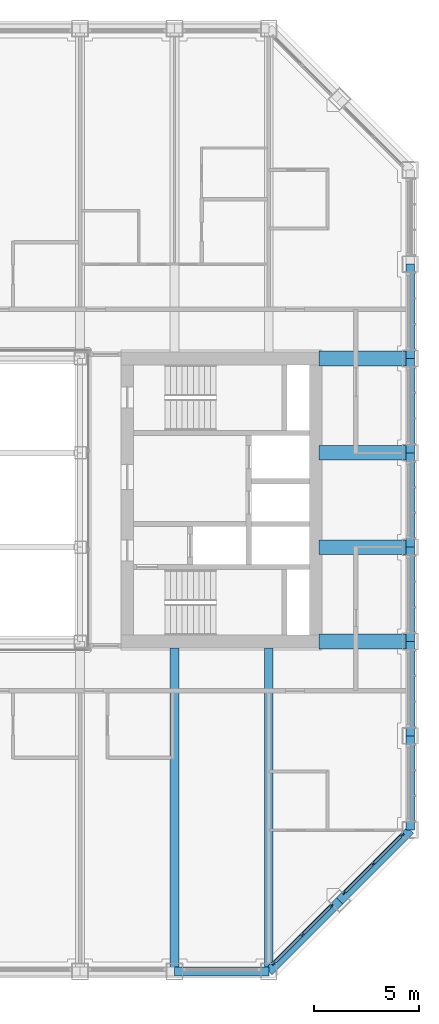
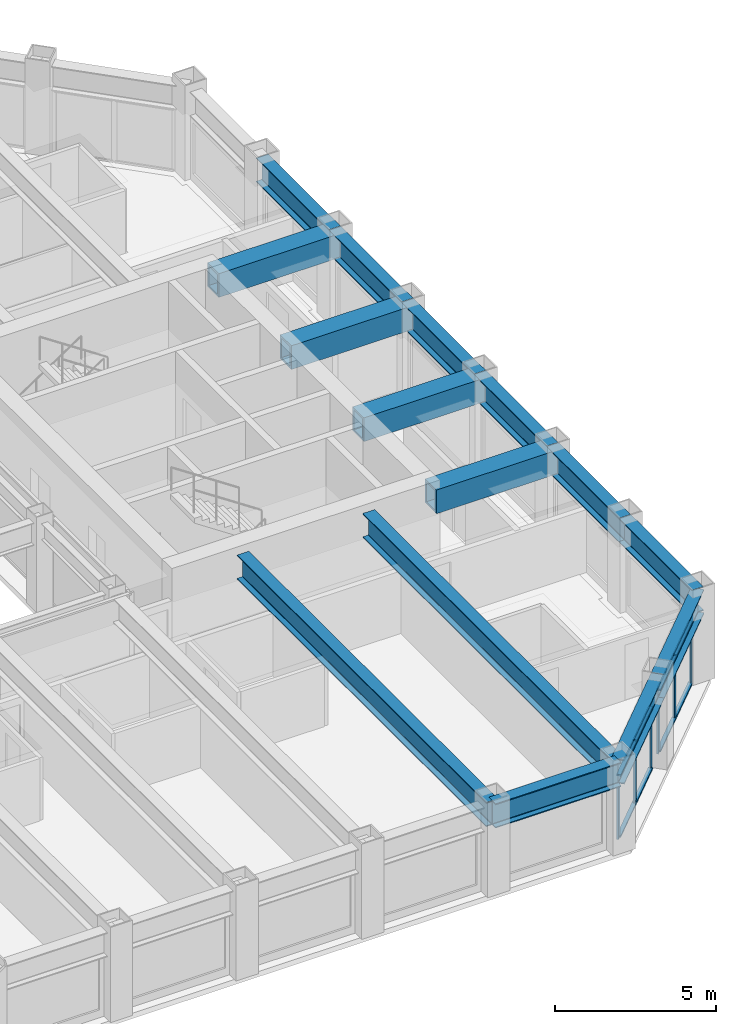
# One storey, part 6 of 18: 15 beams, 14 members, 2 elements without a shape of their own.
"""IFC4 building model written with IfcOpenShell, lengths in metres."""

import ifcopenshell
import ifcopenshell.guid

model = None  # the IFC model being written
_history = None  # IfcOwnerHistory: only IFC2X3 demands one
_inside = {}  # id of a spatial element -> (the spatial element, [elements in it])
_under = {}  # id of a project, library or spatial element -> (it, [spatial elements below it])
_declared = {}  # id of a project -> (the project, [libraries it declares])
_typed = {}  # id of a type object -> (the type object, [elements of that type])
_made_of = {}  # id of a material, layer set ... -> (it, [elements and type objects made of it])


def new_model(schema):
    """Start an empty IFC model of exactly this schema.

    Asked for "IFC4X3", IfcOpenShell would pick the latest addendum, in which some entities
    have other attributes; the version numbers below select the first issue.
    IFC2X3 requires an IfcOwnerHistory on every rooted entity: one is made here for all.
    """
    global model, _history
    if schema == "IFC4X3":
        model = ifcopenshell.file(schema_version=(4, 3, 0, 0))
    else:
        model = ifcopenshell.file(schema=schema)
    _inside.clear()
    _under.clear()
    _declared.clear()
    _typed.clear()
    _made_of.clear()
    _history = None
    if model.schema == "IFC2X3":
        org = make("IfcOrganization", Name="unknown")
        user = make(
            "IfcPersonAndOrganization",
            ThePerson=make("IfcPerson", FamilyName="unknown"),
            TheOrganization=org,
        )
        app = make(
            "IfcApplication",
            ApplicationDeveloper=org,
            Version="unknown",
            ApplicationFullName="unknown",
            ApplicationIdentifier="unknown",
        )
        _history = make(
            "IfcOwnerHistory",
            OwningUser=user,
            OwningApplication=app,
            ChangeAction="ADDED",
            CreationDate=0,
        )
    return model


def make(cls, **values):
    """One entity of the class cls with the attributes given. An attribute that is None is left unset."""
    return model.create_entity(
        cls, **{name: value for name, value in values.items() if value is not None}
    )


def rooted(cls, **values):
    """An entity with a GlobalId (a new one), such as an element, a storey or a relation."""
    return make(cls, GlobalId=ifcopenshell.guid.new(), OwnerHistory=_history, **values)


def si_unit(unit_type, name, prefix=None):
    """IfcSIUnit, for example si_unit("LENGTHUNIT", "METRE", prefix="MILLI")."""
    return make("IfcSIUnit", UnitType=unit_type, Prefix=prefix, Name=name)


def assignment(units):
    """IfcUnitAssignment: the units of a project."""
    return None if units is None else make("IfcUnitAssignment", Units=units)


def point(xyz):
    """IfcCartesianPoint."""
    return None if xyz is None else make("IfcCartesianPoint", Coordinates=xyz)


def direction(xyz):
    """IfcDirection."""
    return None if xyz is None else make("IfcDirection", DirectionRatios=xyz)


def frame(location, z_axis=None, x_axis=None):
    """IfcAxis2Placement3D, a coordinate frame: its origin and axes. An axis left out is left unset."""
    return make(
        "IfcAxis2Placement3D",
        Location=point(location),
        Axis=direction(z_axis),
        RefDirection=direction(x_axis),
    )


def frame_2d(location, x_axis=None):
    """IfcAxis2Placement2D, a coordinate frame in the plane: its origin and x axis."""
    return make(
        "IfcAxis2Placement2D", Location=point(location), RefDirection=direction(x_axis)
    )


def origin():
    """The frame at (0, 0, 0) with its axes left unset."""
    return frame((0.0, 0.0, 0.0))


def origin_2d():
    """The frame at (0, 0) in the plane with its x axis left unset."""
    return frame_2d((0.0, 0.0))


def place(relative_to, where):
    """IfcLocalPlacement: puts the frame where relative to a parent placement (None: the world)."""
    return make(
        "IfcLocalPlacement", PlacementRelTo=relative_to, RelativePlacement=where
    )


def context(
    kind, dimensions, precision=None, world=None, true_north=None, identifier=None
):
    """IfcGeometricRepresentationContext, for example the 3D "Model" context."""
    return make(
        "IfcGeometricRepresentationContext",
        ContextIdentifier=identifier,
        ContextType=kind,
        CoordinateSpaceDimension=dimensions,
        Precision=precision,
        WorldCoordinateSystem=world,
        TrueNorth=true_north,
    )


def subcontext(parent, identifier, kind, view, scale=None):
    """IfcGeometricRepresentationSubContext, for example "Body" below "Model"."""
    return make(
        "IfcGeometricRepresentationSubContext",
        ContextIdentifier=identifier,
        ContextType=kind,
        ParentContext=parent,
        TargetScale=scale,
        TargetView=view,
    )


def project(units=None, contexts=None):
    """IfcProject with its units and contexts."""
    return rooted(
        "IfcProject",
        Name="project",
        RepresentationContexts=contexts,
        UnitsInContext=assignment(units),
    )


def spatial(cls, under=None, at=None, **own):
    """A site, building, storey or space (cls), placed at a placement, below another one or the project."""
    s = rooted(cls, ObjectPlacement=at, **own)
    if under is not None:
        _under.setdefault(under.id(), (under, []))[1].append(s)
    return s


def profile(cls, at=None, kind="AREA", **sizes):
    """A parametric profile (cls). Its sizes go by their IFC names, for example OverallWidth=200.0."""
    return make(cls, ProfileType=kind, Position=at, **sizes)


def rectangle(**sizes):
    """IfcRectangleProfileDef."""
    return profile("IfcRectangleProfileDef", **sizes)


def hollow_rectangle(**sizes):
    """IfcRectangleHollowProfileDef."""
    return profile("IfcRectangleHollowProfileDef", **sizes)


def i_section(**sizes):
    """IfcIShapeProfileDef."""
    return profile("IfcIShapeProfileDef", **sizes)


def extrude(swept, where, along, depth):
    """IfcExtrudedAreaSolid: the profile swept, set in the frame where, extruded along a direction by depth."""
    return make(
        "IfcExtrudedAreaSolid",
        SweptArea=swept,
        Position=where,
        ExtrudedDirection=direction(along),
        Depth=depth,
    )


def shape(context_of_items, identifier, shape_type, items):
    """IfcShapeRepresentation: the items that make up one representation, for example the "Body"."""
    return make(
        "IfcShapeRepresentation",
        ContextOfItems=context_of_items,
        RepresentationIdentifier=identifier,
        RepresentationType=shape_type,
        Items=items,
    )


def material(Name=None, Category=None):
    """IfcMaterial."""
    return make("IfcMaterial", Name=Name, Category=Category)


def material_profile(
    of_material, cross_section, Name=None, Category=None, Priority=None
):
    """IfcMaterialProfile: a cross section and its material."""
    return make(
        "IfcMaterialProfile",
        Name=Name,
        Material=of_material,
        Profile=cross_section,
        Priority=Priority,
        Category=Category,
    )


def profile_set(profiles, Name=None, composite=None):
    """IfcMaterialProfileSet."""
    return make(
        "IfcMaterialProfileSet",
        Name=Name,
        MaterialProfiles=profiles,
        CompositeProfile=composite,
    )


def made_of(thing, what):
    """Note that an element or type object is made of a material, layer set ...; save() writes the relation."""
    if what is not None:
        _made_of.setdefault(what.id(), (what, []))[1].append(thing)
    return thing


def type_object(cls, material=None, **own):
    """A type object (cls), such as IfcWallType, which elements share."""
    return made_of(rooted(cls, **own), material)


def element(
    cls,
    number,
    at=None,
    inside=None,
    cuts=None,
    type_object=None,
    material=None,
    context=None,
    identifier="Body",
    shape_type=None,
    held_by="IfcProductDefinitionShape",
    body=None,
    shapes=None,
    **own,
):
    """One element of the class cls, such as IfcWall. Its Tag is "e" and its number.

    at: its placement. inside: the storey or other place that contains it. cuts: it is an
    opening in that element (IfcRelVoidsElement). A single representation is given by context,
    identifier, shape_type and body (its items); several are given by shapes. held_by: the class
    of the entity that holds the representations. save() writes the other relations.
    """
    e = rooted(cls, Tag="e%d" % number, ObjectPlacement=at, **own)
    if body is not None:
        shapes = [shape(context, identifier, shape_type, body)]
    if shapes is not None:
        e.Representation = make(held_by, Representations=shapes)
    if inside is not None:
        _inside.setdefault(inside.id(), (inside, []))[1].append(e)
    if cuts is not None:
        rooted(
            "IfcRelVoidsElement", RelatingBuildingElement=cuts, RelatedOpeningElement=e
        )
    if type_object is not None:
        _typed.setdefault(type_object.id(), (type_object, []))[1].append(e)
    return made_of(e, material)


def aggregate(whole, parts):
    """IfcRelAggregates: a whole, such as a stair, and the parts it consists of."""
    return rooted("IfcRelAggregates", RelatingObject=whole, RelatedObjects=parts)


def save(model, path):
    """Write the relations noted so far, then the file.

    IfcRelAggregates (storeys below a building ...), IfcRelContainedInSpatialStructure (elements
    in a storey), IfcRelDefinesByType, IfcRelAssociatesMaterial and IfcRelDeclares: one each for
    every whole, place, type object, material and project.
    """
    for whole, parts in _under.values():
        aggregate(whole, parts)
    for where, things in _inside.values():
        rooted(
            "IfcRelContainedInSpatialStructure",
            RelatedElements=things,
            RelatingStructure=where,
        )
    for kind, things in _typed.values():
        rooted("IfcRelDefinesByType", RelatedObjects=things, RelatingType=kind)
    for what, things in _made_of.values():
        rooted("IfcRelAssociatesMaterial", RelatedObjects=things, RelatingMaterial=what)
    for by, libraries in _declared.values():
        rooted("IfcRelDeclares", RelatingContext=by, RelatedDefinitions=libraries)
    model.write(path)


model = new_model("IFC4")

# Units and contexts
model_context = context("Model", 3, precision=1e-05, world=origin(), true_north=direction((0.0, 1.0)))
body_context = subcontext(model_context, "Body", "Model", "MODEL_VIEW")
ifc_project = project(units=[si_unit("LENGTHUNIT", "METRE"), si_unit("AREAUNIT", "SQUARE_METRE"), si_unit("VOLUMEUNIT", "CUBIC_METRE"), si_unit("PLANEANGLEUNIT", "RADIAN"), si_unit("MASSUNIT", "GRAM", prefix="KILO")], contexts=[model_context])

# Site, building, storey
site_placement = place(None, origin())
site = spatial("IfcSite", under=ifc_project, at=site_placement, CompositionType="ELEMENT")
building_placement = place(site_placement, origin())
building = spatial("IfcBuilding", under=site, at=building_placement, Name="Msasa Ring Tower", CompositionType="ELEMENT")
storey_placement = place(building_placement, frame((0.0, 0.0, 186.800048828125)))
storey = spatial("IfcBuildingStorey", under=building, at=storey_placement, Name="L49", CompositionType="ELEMENT", Elevation=186.800048828125)

# Curtain wall, members
ifc_material_1 = material(Name="Aluminium curtain wall with clear glass", Category="aluminium")
curtain_wall_type = type_object("IfcCurtainWallType", Name="CW-C CHAMFER CORNER CURTAIN WALL", PredefinedType="NOTDEFINED", material=ifc_material_1)
curtain_wall_1_placement = place(storey_placement, origin())
curtain_wall_1 = element("IfcCurtainWall", 1, at=curtain_wall_1_placement, inside=storey, type_object=curtain_wall_type, Name="Chamfer corner curtain wall SE L49", PredefinedType="NOTDEFINED")
ifc_material_2 = material(Name="Aluminium mullion", Category="aluminium")
ifc_material_profile_1 = material_profile(ifc_material_2, rectangle(XDim=0.06494140625, YDim=0.179931640625, at=origin_2d()), Name="AL 65x180")
ifc_profile_set_1 = profile_set([ifc_material_profile_1], Name="Aluminium mullion")
member_type_1 = type_object("IfcMemberType", Name="CW-C MULLION 65x180", PredefinedType="MULLION", material=ifc_profile_set_1)
member_1_placement = place(storey_placement, frame((15.98876953125, -22.119873046875, 0.0), z_axis=(0.0, 0.0, 1.0), x_axis=(-0.707106781187, 0.707106781187, 0.0)))
member_1 = element("IfcMember", 2, at=member_1_placement, type_object=member_type_1, Name="CW-C mullion 1", PredefinedType="MULLION", context=body_context, shape_type="SweptSolid", body=[
    extrude(rectangle(XDim=0.06494140625, YDim=0.179931640625, at=origin_2d()), origin(), (0.0, 0.0, 1.0), 2.37890625),
])
member_2_placement = place(storey_placement, frame((17.36669921875, -20.74169921875, 0.0), z_axis=(0.0, 0.0, 1.0), x_axis=(-0.707106781187, 0.707106781187, 0.0)))
member_2 = element("IfcMember", 3, at=member_2_placement, type_object=member_type_1, Name="CW-C mullion 2", PredefinedType="MULLION", context=body_context, shape_type="SweptSolid", body=[
    extrude(rectangle(XDim=0.06494140625, YDim=0.179931640625, at=origin_2d()), origin(), (0.0, 0.0, 1.0), 2.37890625),
])
member_3_placement = place(storey_placement, frame((18.744873046875, -19.36376953125, 0.0), z_axis=(0.0, 0.0, 1.0), x_axis=(-0.707106781187, 0.707106781187, 0.0)))
member_3 = element("IfcMember", 4, at=member_3_placement, type_object=member_type_1, Name="CW-C mullion 3", PredefinedType="MULLION", context=body_context, shape_type="SweptSolid", body=[
    extrude(rectangle(XDim=0.06494140625, YDim=0.179931640625, at=origin_2d()), origin(), (0.0, 0.0, 1.0), 2.37890625),
])

curtain_wall_2_placement = place(storey_placement, origin())
curtain_wall_2 = element("IfcCurtainWall", 5, at=curtain_wall_2_placement, inside=storey, type_object=curtain_wall_type, Name="Chamfer corner curtain wall SE L49", PredefinedType="NOTDEFINED")
member_4_placement = place(storey_placement, frame((19.36376953125, -18.744873046875, 0.0), z_axis=(0.0, 0.0, 1.0), x_axis=(-0.707106781187, 0.707106781187, 0.0)))
member_4 = element("IfcMember", 6, at=member_4_placement, type_object=member_type_1, Name="CW-C mullion 1", PredefinedType="MULLION", context=body_context, shape_type="SweptSolid", body=[
    extrude(rectangle(XDim=0.06494140625, YDim=0.179931640625, at=origin_2d()), origin(), (0.0, 0.0, 1.0), 2.37890625),
])
member_5_placement = place(storey_placement, frame((20.74169921875, -17.36669921875, 0.0), z_axis=(0.0, 0.0, 1.0), x_axis=(-0.707106781187, 0.707106781187, 0.0)))
member_5 = element("IfcMember", 7, at=member_5_placement, type_object=member_type_1, Name="CW-C mullion 2", PredefinedType="MULLION", context=body_context, shape_type="SweptSolid", body=[
    extrude(rectangle(XDim=0.06494140625, YDim=0.179931640625, at=origin_2d()), origin(), (0.0, 0.0, 1.0), 2.37890625),
])
member_6_placement = place(storey_placement, frame((22.119873046875, -15.98876953125, 0.0), z_axis=(0.0, 0.0, 1.0), x_axis=(-0.707106781187, 0.707106781187, 0.0)))
member_6 = element("IfcMember", 8, at=member_6_placement, type_object=member_type_1, Name="CW-C mullion 3", PredefinedType="MULLION", context=body_context, shape_type="SweptSolid", body=[
    extrude(rectangle(XDim=0.06494140625, YDim=0.179931640625, at=origin_2d()), origin(), (0.0, 0.0, 1.0), 2.37890625),
])

# Member
ifc_material_3 = material(Name="Aluminium transom", Category="aluminium")
ifc_material_profile_2 = material_profile(ifc_material_3, rectangle(XDim=0.139892578125, YDim=0.06494140625, at=origin_2d()), Name="AL 65x140")
ifc_profile_set_2 = profile_set([ifc_material_profile_2], Name="Aluminium transom")
member_type_2 = type_object("IfcMemberType", Name="CW-C TRANSOM 65x140", PredefinedType="USERDEFINED", material=ifc_profile_set_2)
member_7_placement = place(storey_placement, frame((16.01171875, -22.096923828125, 0.032470703125), z_axis=(0.707106781187, 0.707106781187, 0.0), x_axis=(-0.707106781187, 0.707106781187, 0.0)))
member_7 = element("IfcMember", 9, at=member_7_placement, type_object=member_type_2, Name="CW-C transom 1.1", ObjectType="TRANSOM", PredefinedType="USERDEFINED", context=body_context, shape_type="SweptSolid", body=[
    extrude(rectangle(XDim=0.139892578125, YDim=0.06494140625, at=origin_2d()), origin(), (0.0, 0.0, 1.0), 1.8837890625),
])

member_8_placement = place(storey_placement, frame((16.01171875, -22.096923828125, 2.346435546875), z_axis=(0.707106781187, 0.707106781187, 0.0), x_axis=(-0.707106781187, 0.707106781187, 0.0)))
member_8 = element("IfcMember", 10, at=member_8_placement, type_object=member_type_2, Name="CW-C transom 1.2", ObjectType="TRANSOM", PredefinedType="USERDEFINED", context=body_context, shape_type="SweptSolid", body=[
    extrude(rectangle(XDim=0.139892578125, YDim=0.06494140625, at=origin_2d()), origin(), (0.0, 0.0, 1.0), 1.8837890625),
])

member_9_placement = place(storey_placement, frame((17.389892578125, -20.71875, 0.032470703125), z_axis=(0.707106781187, 0.707106781187, 0.0), x_axis=(-0.707106781187, 0.707106781187, 0.0)))
member_9 = element("IfcMember", 11, at=member_9_placement, type_object=member_type_2, Name="CW-C transom 2.1", ObjectType="TRANSOM", PredefinedType="USERDEFINED", context=body_context, shape_type="SweptSolid", body=[
    extrude(rectangle(XDim=0.139892578125, YDim=0.06494140625, at=origin_2d()), origin(), (0.0, 0.0, 1.0), 1.8837890625),
])

member_10_placement = place(storey_placement, frame((17.389892578125, -20.71875, 2.346435546875), z_axis=(0.707106781187, 0.707106781187, 0.0), x_axis=(-0.707106781187, 0.707106781187, 0.0)))
member_10 = element("IfcMember", 12, at=member_10_placement, type_object=member_type_2, Name="CW-C transom 2.2", ObjectType="TRANSOM", PredefinedType="USERDEFINED", context=body_context, shape_type="SweptSolid", body=[
    extrude(rectangle(XDim=0.139892578125, YDim=0.06494140625, at=origin_2d()), origin(), (0.0, 0.0, 1.0), 1.8837890625),
])

aggregate(curtain_wall_1, [member_1, member_2, member_3, member_7, member_8, member_9, member_10])

member_11_placement = place(storey_placement, frame((19.38671875, -18.721923828125, 0.032470703125), z_axis=(0.707106781187, 0.707106781187, 0.0), x_axis=(-0.707106781187, 0.707106781187, 0.0)))
member_11 = element("IfcMember", 13, at=member_11_placement, type_object=member_type_2, Name="CW-C transom 1.1", ObjectType="TRANSOM", PredefinedType="USERDEFINED", context=body_context, shape_type="SweptSolid", body=[
    extrude(rectangle(XDim=0.139892578125, YDim=0.06494140625, at=origin_2d()), origin(), (0.0, 0.0, 1.0), 1.8837890625),
])

member_12_placement = place(storey_placement, frame((19.38671875, -18.721923828125, 2.346435546875), z_axis=(0.707106781187, 0.707106781187, 0.0), x_axis=(-0.707106781187, 0.707106781187, 0.0)))
member_12 = element("IfcMember", 14, at=member_12_placement, type_object=member_type_2, Name="CW-C transom 1.2", ObjectType="TRANSOM", PredefinedType="USERDEFINED", context=body_context, shape_type="SweptSolid", body=[
    extrude(rectangle(XDim=0.139892578125, YDim=0.06494140625, at=origin_2d()), origin(), (0.0, 0.0, 1.0), 1.8837890625),
])

member_13_placement = place(storey_placement, frame((20.764892578125, -17.34375, 0.032470703125), z_axis=(0.707106781187, 0.707106781187, 0.0), x_axis=(-0.707106781187, 0.707106781187, 0.0)))
member_13 = element("IfcMember", 15, at=member_13_placement, type_object=member_type_2, Name="CW-C transom 2.1", ObjectType="TRANSOM", PredefinedType="USERDEFINED", context=body_context, shape_type="SweptSolid", body=[
    extrude(rectangle(XDim=0.139892578125, YDim=0.06494140625, at=origin_2d()), origin(), (0.0, 0.0, 1.0), 1.8837890625),
])

member_14_placement = place(storey_placement, frame((20.764892578125, -17.34375, 2.346435546875), z_axis=(0.707106781187, 0.707106781187, 0.0), x_axis=(-0.707106781187, 0.707106781187, 0.0)))
member_14 = element("IfcMember", 16, at=member_14_placement, type_object=member_type_2, Name="CW-C transom 2.2", ObjectType="TRANSOM", PredefinedType="USERDEFINED", context=body_context, shape_type="SweptSolid", body=[
    extrude(rectangle(XDim=0.139892578125, YDim=0.06494140625, at=origin_2d()), origin(), (0.0, 0.0, 1.0), 1.8837890625),
])

aggregate(curtain_wall_2, [member_4, member_5, member_6, member_11, member_12, member_13, member_14])

# Beams
ifc_material_4 = material(Name="Steel S355", Category="steel")
ifc_material_profile_3 = material_profile(ifc_material_4, i_section(OverallWidth=0.42041015625, OverallDepth=0.9208984375, WebThickness=0.021484375, FlangeThickness=0.03662109375, FilletRadius=0.024169921875, at=origin_2d()), Name="UB 914x419x388")
ifc_profile_set_3 = profile_set([ifc_material_profile_3], Name="Steel S355")
beam_type_1 = type_object("IfcBeamType", Name="FB2 UB 914x419x388", PredefinedType="BEAM", material=ifc_profile_set_3)
for number, where, z_axis, x_axis, name in (
    (17, (11.25, -22.5, 2.83935546875), (0.0, 1.0, 0.0), (-1.0, 0.0, 0.0), "Floor beam S+11.25 under L50"),
    (18, (15.75, -22.5, 2.83935546875), (0.0, 1.0, 0.0), (-1.0, 0.0, 0.0), "Floor beam S+15.75 under L50"),
):
    element("IfcBeam", number, at=place(storey_placement, frame(where, z_axis=z_axis, x_axis=x_axis)), inside=storey, type_object=beam_type_1, Name=name, PredefinedType="BEAM", context=body_context, shape_type="SweptSolid", body=[
        extrude(i_section(OverallWidth=0.42041015625, OverallDepth=0.9208984375, WebThickness=0.021484375, FlangeThickness=0.03662109375, FilletRadius=0.024169921875, at=origin_2d()), origin(), (0.0, 0.0, 1.0), 15.449951171875),
    ])
ifc_material_5 = material(Name="Steel S355", Category="steel")
ifc_material_profile_4 = material_profile(ifc_material_5, hollow_rectangle(XDim=0.699951171875, YDim=0.89990234375, WallThickness=0.080078125, at=origin_2d()), Name="BOX 900x700x80")
ifc_profile_set_4 = profile_set([ifc_material_profile_4], Name="Steel S355")
beam_type_2 = type_object("IfcBeamType", Name="FB4 BOX 900x700x80", PredefinedType="BEAM", material=ifc_profile_set_4)
for number, where, z_axis, x_axis, name in (
    (19, (22.5, -2.25, 2.849853515625), (-1.0, 0.0, 0.0), (0.0, -1.0, 0.0), "Floor beam E -2.25 under L50"),
    (20, (22.5, 2.25, 2.849853515625), (-1.0, 0.0, 0.0), (0.0, -1.0, 0.0), "Floor beam E +2.25 under L50"),
):
    element("IfcBeam", number, at=place(storey_placement, frame(where, z_axis=z_axis, x_axis=x_axis)), inside=storey, type_object=beam_type_2, Name=name, PredefinedType="BEAM", context=body_context, shape_type="SweptSolid", body=[
        extrude(hollow_rectangle(XDim=0.699951171875, YDim=0.89990234375, WallThickness=0.080078125, at=origin_2d()), origin(), (0.0, 0.0, 1.0), 4.35009765625),
    ])
ifc_material_6 = material(Name="Steel S355", Category="steel")
ifc_material_profile_5 = material_profile(ifc_material_6, hollow_rectangle(XDim=0.699951171875, YDim=0.89990234375, WallThickness=0.080078125, at=origin_2d()), Name="BOX 900x700x80")
ifc_profile_set_5 = profile_set([ifc_material_profile_5], Name="Steel S355")
beam_type_3 = type_object("IfcBeamType", Name="GB2 BOX 900x700x80", PredefinedType="BEAM", material=ifc_profile_set_5)
for number, where, z_axis, x_axis, name in (
    (21, (18.14990234375, 6.75, 2.849853515625), (1.0, 0.0, 0.0), (0.0, 1.0, 0.0), "Girder E +6.75 under L50"),
    (22, (18.14990234375, -6.75, 2.849853515625), (1.0, 0.0, 0.0), (0.0, 1.0, 0.0), "Girder E -6.75 under L50"),
):
    element("IfcBeam", number, at=place(storey_placement, frame(where, z_axis=z_axis, x_axis=x_axis)), inside=storey, type_object=beam_type_3, Name=name, PredefinedType="BEAM", context=body_context, shape_type="SweptSolid", body=[
        extrude(hollow_rectangle(XDim=0.699951171875, YDim=0.89990234375, WallThickness=0.080078125, at=origin_2d()), origin(), (0.0, 0.0, 1.0), 4.35009765625),
    ])
ifc_material_7 = material(Name="Steel S355", Category="steel")
ifc_material_profile_6 = material_profile(ifc_material_7, i_section(OverallWidth=0.42041015625, OverallDepth=0.9208984375, WebThickness=0.021484375, FlangeThickness=0.03662109375, FilletRadius=0.024169921875, at=origin_2d()), Name="UB 914x419x388")
ifc_profile_set_6 = profile_set([ifc_material_profile_6], Name="Steel S355")
beam_type_4 = type_object("IfcBeamType", Name="SB1 UB 914x419x388", PredefinedType="SPANDREL", material=ifc_profile_set_6)
beam_placement = place(storey_placement, frame((11.25, -22.5, 2.83935546875), z_axis=(1.0, 0.0, 0.0), x_axis=(0.0, 1.0, 0.0)))
element("IfcBeam", 23, at=beam_placement, inside=storey, type_object=beam_type_4, Name="Spandrel S+11.25 to S+15.75 under L50", PredefinedType="SPANDREL", context=body_context, shape_type="SweptSolid", body=[
    extrude(i_section(OverallWidth=0.42041015625, OverallDepth=0.9208984375, WebThickness=0.021484375, FlangeThickness=0.03662109375, FilletRadius=0.024169921875, at=origin_2d()), origin(), (0.0, 0.0, 1.0), 4.5),
])
for number, where, z_axis, x_axis, name in (
    (24, (15.75, -22.5, 2.83935546875), (0.707106781187, 0.707106781187, 0.0), (-0.707106781187, 0.707106781187, 0.0), "Spandrel S+15.75 to SE under L50"),
    (25, (19.125, -19.125, 2.83935546875), (0.707106781187, 0.707106781187, 0.0), (-0.707106781187, 0.707106781187, 0.0), "Spandrel SE to E-15.75 under L50"),
):
    element("IfcBeam", number, at=place(storey_placement, frame(where, z_axis=z_axis, x_axis=x_axis)), inside=storey, type_object=beam_type_4, Name=name, PredefinedType="SPANDREL", context=body_context, shape_type="SweptSolid", body=[
        extrude(i_section(OverallWidth=0.42041015625, OverallDepth=0.9208984375, WebThickness=0.021484375, FlangeThickness=0.03662109375, FilletRadius=0.024169921875, at=origin_2d()), origin(), (0.0, 0.0, 1.0), 4.77294921875),
    ])
for number, where, z_axis, x_axis, name in (
    (26, (22.5, -15.75, 2.83935546875), (0.0, 1.0, 0.0), (-1.0, 0.0, 0.0), "Spandrel E-15.75 to E-11.25 under L50"),
    (27, (22.5, -11.25, 2.83935546875), (0.0, 1.0, 0.0), (-1.0, 0.0, 0.0), "Spandrel E-11.25 to E-6.75 under L50"),
    (28, (22.5, -6.75, 2.83935546875), (0.0, 1.0, 0.0), (-1.0, 0.0, 0.0), "Spandrel E-6.75 to E-2.25 under L50"),
    (29, (22.5, -2.25, 2.83935546875), (0.0, 1.0, 0.0), (-1.0, 0.0, 0.0), "Spandrel E-2.25 to E+2.25 under L50"),
    (30, (22.5, 2.25, 2.83935546875), (0.0, 1.0, 0.0), (-1.0, 0.0, 0.0), "Spandrel E+2.25 to E+6.75 under L50"),
    (31, (22.5, 6.75, 2.83935546875), (0.0, 1.0, 0.0), (-1.0, 0.0, 0.0), "Spandrel E+6.75 to E+11.25 under L50"),
):
    element("IfcBeam", number, at=place(storey_placement, frame(where, z_axis=z_axis, x_axis=x_axis)), inside=storey, type_object=beam_type_4, Name=name, PredefinedType="SPANDREL", context=body_context, shape_type="SweptSolid", body=[
        extrude(i_section(OverallWidth=0.42041015625, OverallDepth=0.9208984375, WebThickness=0.021484375, FlangeThickness=0.03662109375, FilletRadius=0.024169921875, at=origin_2d()), origin(), (0.0, 0.0, 1.0), 4.5),
    ])

save(model, "model.ifc")
